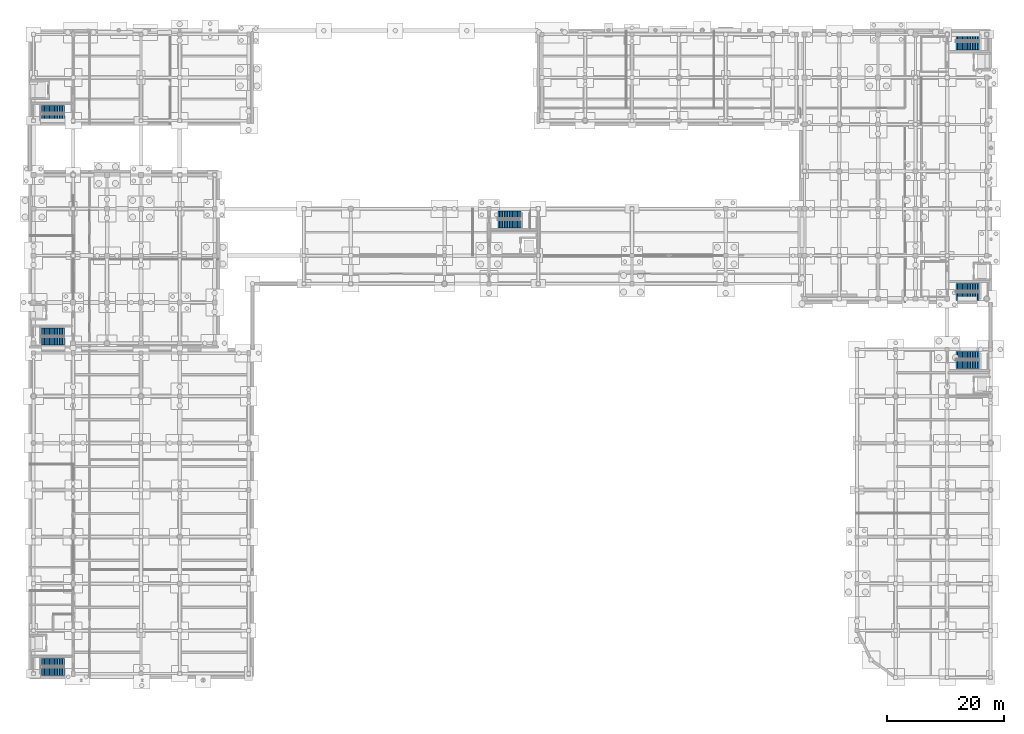
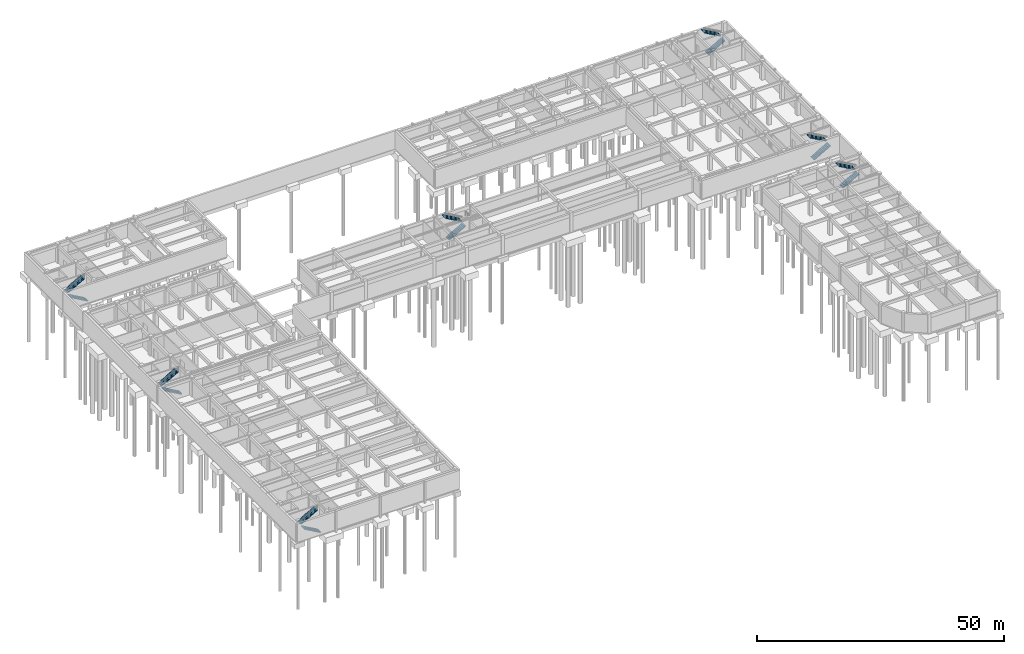
# One storey, part 28 of 35: 14 stair flights, 7 elements without a shape of their own.
"""IFC4 building model written with IfcOpenShell, lengths in metres."""

from ifc_helpers import new_model, si_unit, direction, frame, origin, place, context, subcontext, project, spatial, polyline, outline, extrude, material, type_object, element, aggregate, save


model = new_model("IFC4")

# Units and contexts
model_context = context("Model", 3, precision=1e-05, world=origin(), true_north=direction((0.0, 1.0)))
body_context = subcontext(model_context, "Body", "Model", "MODEL_VIEW")
ifc_project = project(units=[si_unit("LENGTHUNIT", "METRE"), si_unit("AREAUNIT", "SQUARE_METRE"), si_unit("VOLUMEUNIT", "CUBIC_METRE"), si_unit("PLANEANGLEUNIT", "RADIAN"), si_unit("MASSUNIT", "GRAM", prefix="KILO")], contexts=[model_context])

# Site, building, storey
site_placement = place(None, origin())
site = spatial("IfcSite", under=ifc_project, at=site_placement, CompositionType="ELEMENT")
building_placement = place(site_placement, origin())
building = spatial("IfcBuilding", under=site, at=building_placement, Name="Cinchona Park Media Centre", CompositionType="ELEMENT")
storey_placement = place(building_placement, frame((0.0, 0.0, -4.800048828125)))
storey = spatial("IfcBuildingStorey", under=building, at=storey_placement, Name="B1", CompositionType="ELEMENT", Elevation=-4.800048828125)

# Stair, stair flights
ifc_material_1 = material(Name="Concrete C35/45", Category="concrete")
stair_type_1 = type_object("IfcStairType", Name="STAIR-ST1-HT48", PredefinedType="HALF_TURN_STAIR", material=ifc_material_1)
stair_1_placement = place(storey_placement, origin())
stair_1 = element("IfcStair", 1, at=stair_1_placement, inside=storey, type_object=stair_type_1, Name="Exit Stair ST1 B1", PredefinedType="HALF_TURN_STAIR")
ifc_material_2 = material(Name="Concrete C35/45", Category="concrete")
stair_flight_type_1 = type_object("IfcStairFlightType", Name="FLIGHT-ST1", PredefinedType="STRAIGHT", material=ifc_material_2)
stair_flight_1_placement = place(storey_placement, frame((166.10009765625, 72.6201171875, 0.0), z_axis=(0.0, 0.0, 1.0), x_axis=(1.0, 0.0, 0.0)))
stair_flight_1 = element("IfcStairFlight", 2, at=stair_flight_1_placement, type_object=stair_flight_type_1, Name="ST1 flight 1", NumberOfRisers=15, NumberOfTreads=14, PredefinedType="STRAIGHT", RiserHeight=0.16, TreadLength=0.28, context=body_context, shape_type="SweptSolid", body=[
    extrude(outline(polyline([(0.0, 0.0), (0.0, 0.159912109375), (0.280029296875, 0.159912109375), (0.280029296875, 0.320068359375), (0.56005859375, 0.320068359375), (0.56005859375, 0.47998046875), (0.840087890625, 0.47998046875), (0.840087890625, 0.639892578125), (1.1201171875, 0.639892578125), (1.1201171875, 0.800048828125), (1.39990234375, 0.800048828125), (1.39990234375, 0.9599609375), (1.679931640625, 0.9599609375), (1.679931640625, 1.1201171875), (1.9599609375, 1.1201171875), (1.9599609375, 1.280029296875), (2.239990234375, 1.280029296875), (2.239990234375, 1.43994140625), (2.52001953125, 1.43994140625), (2.52001953125, 1.60009765625), (2.800048828125, 1.60009765625), (2.800048828125, 1.760009765625), (3.080078125, 1.760009765625), (3.080078125, 1.919921875), (3.360107421875, 1.919921875), (3.360107421875, 2.080078125), (3.639892578125, 2.080078125), (3.639892578125, 2.239990234375), (3.919921875, 2.239990234375), (3.919921875, 2.39990234375), (3.919921875, 2.055908203125), (0.322265625, 0.0), (0.0, 0.0)])), frame((0.0, 0.68017578125, 0.0), z_axis=(0.0, -1.0, 0.0), x_axis=(1.0, 0.0, 0.0)), (0.0, 0.0, 1.0), 1.360107421875),
])
stair_flight_2_placement = place(storey_placement, frame((170.02001953125, 74.179931640625, 2.400146484375), z_axis=(0.0, 0.0, 1.0), x_axis=(-1.0, 0.0, 0.0)))
stair_flight_2 = element("IfcStairFlight", 3, at=stair_flight_2_placement, type_object=stair_flight_type_1, Name="ST1 flight 2", NumberOfRisers=15, NumberOfTreads=14, PredefinedType="STRAIGHT", RiserHeight=0.16, TreadLength=0.28, context=body_context, shape_type="SweptSolid", body=[
    extrude(outline(polyline([(0.0, 0.0), (0.0, 0.159912109375), (0.280029296875, 0.159912109375), (0.280029296875, 0.320068359375), (0.56005859375, 0.320068359375), (0.56005859375, 0.47998046875), (0.840087890625, 0.47998046875), (0.840087890625, 0.639892578125), (1.1201171875, 0.639892578125), (1.1201171875, 0.800048828125), (1.39990234375, 0.800048828125), (1.39990234375, 0.9599609375), (1.679931640625, 0.9599609375), (1.679931640625, 1.1201171875), (1.9599609375, 1.1201171875), (1.9599609375, 1.280029296875), (2.239990234375, 1.280029296875), (2.239990234375, 1.43994140625), (2.52001953125, 1.43994140625), (2.52001953125, 1.60009765625), (2.800048828125, 1.60009765625), (2.800048828125, 1.760009765625), (3.080078125, 1.760009765625), (3.080078125, 1.919921875), (3.360107421875, 1.919921875), (3.360107421875, 2.080078125), (3.639892578125, 2.080078125), (3.639892578125, 2.239990234375), (3.919921875, 2.239990234375), (3.919921875, 2.39990234375), (3.919921875, 2.055908203125), (0.322265625, 0.0), (0.0, 0.0)])), frame((0.0, 0.68017578125, 0.0), z_axis=(0.0, -1.0, 0.0), x_axis=(1.0, 0.0, 0.0)), (0.0, 0.0, 1.0), 1.360107421875),
])
aggregate(stair_1, [stair_flight_1, stair_flight_2])

ifc_material_3 = material(Name="Concrete C35/45", Category="concrete")
stair_type_2 = type_object("IfcStairType", Name="STAIR-ST2-HT48", PredefinedType="HALF_TURN_STAIR", material=ifc_material_3)
stair_2_placement = place(storey_placement, origin())
stair_2 = element("IfcStair", 4, at=stair_2_placement, inside=storey, type_object=stair_type_2, Name="Exit Stair ST2 B1", PredefinedType="HALF_TURN_STAIR")
ifc_material_4 = material(Name="Concrete C35/45", Category="concrete")
stair_flight_type_2 = type_object("IfcStairFlightType", Name="FLIGHT-ST2", PredefinedType="STRAIGHT", material=ifc_material_4)
stair_flight_3_placement = place(storey_placement, frame((166.10009765625, 115.419921875, 0.0), z_axis=(0.0, 0.0, 1.0), x_axis=(1.0, 0.0, 0.0)))
stair_flight_3 = element("IfcStairFlight", 5, at=stair_flight_3_placement, type_object=stair_flight_type_2, Name="ST2 flight 1", NumberOfRisers=15, NumberOfTreads=14, PredefinedType="STRAIGHT", RiserHeight=0.16, TreadLength=0.28, context=body_context, shape_type="SweptSolid", body=[
    extrude(outline(polyline([(0.0, 0.0), (0.0, 0.159912109375), (0.280029296875, 0.159912109375), (0.280029296875, 0.320068359375), (0.56005859375, 0.320068359375), (0.56005859375, 0.47998046875), (0.840087890625, 0.47998046875), (0.840087890625, 0.639892578125), (1.1201171875, 0.639892578125), (1.1201171875, 0.800048828125), (1.39990234375, 0.800048828125), (1.39990234375, 0.9599609375), (1.679931640625, 0.9599609375), (1.679931640625, 1.1201171875), (1.9599609375, 1.1201171875), (1.9599609375, 1.280029296875), (2.239990234375, 1.280029296875), (2.239990234375, 1.43994140625), (2.52001953125, 1.43994140625), (2.52001953125, 1.60009765625), (2.800048828125, 1.60009765625), (2.800048828125, 1.760009765625), (3.080078125, 1.760009765625), (3.080078125, 1.919921875), (3.360107421875, 1.919921875), (3.360107421875, 2.080078125), (3.639892578125, 2.080078125), (3.639892578125, 2.239990234375), (3.919921875, 2.239990234375), (3.919921875, 2.39990234375), (3.919921875, 2.055908203125), (0.322265625, 0.0), (0.0, 0.0)])), frame((0.0, 0.68017578125, 0.0), z_axis=(0.0, -1.0, 0.0), x_axis=(1.0, 0.0, 0.0)), (0.0, 0.0, 1.0), 1.360107421875),
])
stair_flight_4_placement = place(storey_placement, frame((170.02001953125, 116.97998046875, 2.400146484375), z_axis=(0.0, 0.0, 1.0), x_axis=(-1.0, 0.0, 0.0)))
stair_flight_4 = element("IfcStairFlight", 6, at=stair_flight_4_placement, type_object=stair_flight_type_2, Name="ST2 flight 2", NumberOfRisers=15, NumberOfTreads=14, PredefinedType="STRAIGHT", RiserHeight=0.16, TreadLength=0.28, context=body_context, shape_type="SweptSolid", body=[
    extrude(outline(polyline([(0.0, 0.0), (0.0, 0.159912109375), (0.280029296875, 0.159912109375), (0.280029296875, 0.320068359375), (0.56005859375, 0.320068359375), (0.56005859375, 0.47998046875), (0.840087890625, 0.47998046875), (0.840087890625, 0.639892578125), (1.1201171875, 0.639892578125), (1.1201171875, 0.800048828125), (1.39990234375, 0.800048828125), (1.39990234375, 0.9599609375), (1.679931640625, 0.9599609375), (1.679931640625, 1.1201171875), (1.9599609375, 1.1201171875), (1.9599609375, 1.280029296875), (2.239990234375, 1.280029296875), (2.239990234375, 1.43994140625), (2.52001953125, 1.43994140625), (2.52001953125, 1.60009765625), (2.800048828125, 1.60009765625), (2.800048828125, 1.760009765625), (3.080078125, 1.760009765625), (3.080078125, 1.919921875), (3.360107421875, 1.919921875), (3.360107421875, 2.080078125), (3.639892578125, 2.080078125), (3.639892578125, 2.239990234375), (3.919921875, 2.239990234375), (3.919921875, 2.39990234375), (3.919921875, 2.055908203125), (0.322265625, 0.0), (0.0, 0.0)])), frame((0.0, 0.68017578125, 0.0), z_axis=(0.0, -1.0, 0.0), x_axis=(1.0, 0.0, 0.0)), (0.0, 0.0, 1.0), 1.360107421875),
])
aggregate(stair_2, [stair_flight_3, stair_flight_4])

ifc_material_5 = material(Name="Concrete C35/45", Category="concrete")
stair_type_3 = type_object("IfcStairType", Name="STAIR-ST3-HT48", PredefinedType="HALF_TURN_STAIR", material=ifc_material_5)
stair_3_placement = place(storey_placement, origin())
stair_3 = element("IfcStair", 7, at=stair_3_placement, inside=storey, type_object=stair_type_3, Name="Exit Stair ST3 B1", PredefinedType="HALF_TURN_STAIR")
ifc_material_6 = material(Name="Concrete C35/45", Category="concrete")
stair_flight_type_3 = type_object("IfcStairFlightType", Name="FLIGHT-ST3", PredefinedType="STRAIGHT", material=ifc_material_6)
stair_flight_5_placement = place(storey_placement, frame((13.89990234375, 65.02001953125, 0.0), z_axis=(0.0, 0.0, 1.0), x_axis=(-1.0, 0.0, 0.0)))
stair_flight_5 = element("IfcStairFlight", 8, at=stair_flight_5_placement, type_object=stair_flight_type_3, Name="ST3 flight 1", NumberOfRisers=15, NumberOfTreads=14, PredefinedType="STRAIGHT", RiserHeight=0.16, TreadLength=0.28, context=body_context, shape_type="SweptSolid", body=[
    extrude(outline(polyline([(0.0, 0.0), (0.0, 0.159912109375), (0.280029296875, 0.159912109375), (0.280029296875, 0.320068359375), (0.56005859375, 0.320068359375), (0.56005859375, 0.47998046875), (0.840087890625, 0.47998046875), (0.840087890625, 0.639892578125), (1.1201171875, 0.639892578125), (1.1201171875, 0.800048828125), (1.39990234375, 0.800048828125), (1.39990234375, 0.9599609375), (1.679931640625, 0.9599609375), (1.679931640625, 1.1201171875), (1.9599609375, 1.1201171875), (1.9599609375, 1.280029296875), (2.239990234375, 1.280029296875), (2.239990234375, 1.43994140625), (2.52001953125, 1.43994140625), (2.52001953125, 1.60009765625), (2.800048828125, 1.60009765625), (2.800048828125, 1.760009765625), (3.080078125, 1.760009765625), (3.080078125, 1.919921875), (3.360107421875, 1.919921875), (3.360107421875, 2.080078125), (3.639892578125, 2.080078125), (3.639892578125, 2.239990234375), (3.919921875, 2.239990234375), (3.919921875, 2.39990234375), (3.919921875, 2.055908203125), (0.322265625, 0.0), (0.0, 0.0)])), frame((0.0, 0.68017578125, 0.0), z_axis=(0.0, -1.0, 0.0), x_axis=(1.0, 0.0, 0.0)), (0.0, 0.0, 1.0), 1.360107421875),
])
stair_flight_6_placement = place(storey_placement, frame((9.97998046875, 66.580078125, 2.400146484375), z_axis=(0.0, 0.0, 1.0), x_axis=(1.0, 0.0, 0.0)))
stair_flight_6 = element("IfcStairFlight", 9, at=stair_flight_6_placement, type_object=stair_flight_type_3, Name="ST3 flight 2", NumberOfRisers=15, NumberOfTreads=14, PredefinedType="STRAIGHT", RiserHeight=0.16, TreadLength=0.28, context=body_context, shape_type="SweptSolid", body=[
    extrude(outline(polyline([(0.0, 0.0), (0.0, 0.159912109375), (0.280029296875, 0.159912109375), (0.280029296875, 0.320068359375), (0.56005859375, 0.320068359375), (0.56005859375, 0.47998046875), (0.840087890625, 0.47998046875), (0.840087890625, 0.639892578125), (1.1201171875, 0.639892578125), (1.1201171875, 0.800048828125), (1.39990234375, 0.800048828125), (1.39990234375, 0.9599609375), (1.679931640625, 0.9599609375), (1.679931640625, 1.1201171875), (1.9599609375, 1.1201171875), (1.9599609375, 1.280029296875), (2.239990234375, 1.280029296875), (2.239990234375, 1.43994140625), (2.52001953125, 1.43994140625), (2.52001953125, 1.60009765625), (2.800048828125, 1.60009765625), (2.800048828125, 1.760009765625), (3.080078125, 1.760009765625), (3.080078125, 1.919921875), (3.360107421875, 1.919921875), (3.360107421875, 2.080078125), (3.639892578125, 2.080078125), (3.639892578125, 2.239990234375), (3.919921875, 2.239990234375), (3.919921875, 2.39990234375), (3.919921875, 2.055908203125), (0.322265625, 0.0), (0.0, 0.0)])), frame((0.0, 0.68017578125, 0.0), z_axis=(0.0, -1.0, 0.0), x_axis=(1.0, 0.0, 0.0)), (0.0, 0.0, 1.0), 1.360107421875),
])
aggregate(stair_3, [stair_flight_5, stair_flight_6])

ifc_material_7 = material(Name="Concrete C35/45", Category="concrete")
stair_type_4 = type_object("IfcStairType", Name="STAIR-ST4-HT48", PredefinedType="HALF_TURN_STAIR", material=ifc_material_7)
stair_4_placement = place(storey_placement, origin())
stair_4 = element("IfcStair", 10, at=stair_4_placement, inside=storey, type_object=stair_type_4, Name="Exit Stair ST4 B1", PredefinedType="HALF_TURN_STAIR")
ifc_material_8 = material(Name="Concrete C35/45", Category="concrete")
stair_flight_type_4 = type_object("IfcStairFlightType", Name="FLIGHT-ST4", PredefinedType="STRAIGHT", material=ifc_material_8)
stair_flight_7_placement = place(storey_placement, frame((13.89990234375, 103.02001953125, 0.0), z_axis=(0.0, 0.0, 1.0), x_axis=(-1.0, 0.0, 0.0)))
stair_flight_7 = element("IfcStairFlight", 11, at=stair_flight_7_placement, type_object=stair_flight_type_4, Name="ST4 flight 1", NumberOfRisers=15, NumberOfTreads=14, PredefinedType="STRAIGHT", RiserHeight=0.16, TreadLength=0.28, context=body_context, shape_type="SweptSolid", body=[
    extrude(outline(polyline([(0.0, 0.0), (0.0, 0.159912109375), (0.280029296875, 0.159912109375), (0.280029296875, 0.320068359375), (0.56005859375, 0.320068359375), (0.56005859375, 0.47998046875), (0.840087890625, 0.47998046875), (0.840087890625, 0.639892578125), (1.1201171875, 0.639892578125), (1.1201171875, 0.800048828125), (1.39990234375, 0.800048828125), (1.39990234375, 0.9599609375), (1.679931640625, 0.9599609375), (1.679931640625, 1.1201171875), (1.9599609375, 1.1201171875), (1.9599609375, 1.280029296875), (2.239990234375, 1.280029296875), (2.239990234375, 1.43994140625), (2.52001953125, 1.43994140625), (2.52001953125, 1.60009765625), (2.800048828125, 1.60009765625), (2.800048828125, 1.760009765625), (3.080078125, 1.760009765625), (3.080078125, 1.919921875), (3.360107421875, 1.919921875), (3.360107421875, 2.080078125), (3.639892578125, 2.080078125), (3.639892578125, 2.239990234375), (3.919921875, 2.239990234375), (3.919921875, 2.39990234375), (3.919921875, 2.055908203125), (0.322265625, 0.0), (0.0, 0.0)])), frame((0.0, 0.68017578125, 0.0), z_axis=(0.0, -1.0, 0.0), x_axis=(1.0, 0.0, 0.0)), (0.0, 0.0, 1.0), 1.360107421875),
])
stair_flight_8_placement = place(storey_placement, frame((9.97998046875, 104.580078125, 2.400146484375), z_axis=(0.0, 0.0, 1.0), x_axis=(1.0, 0.0, 0.0)))
stair_flight_8 = element("IfcStairFlight", 12, at=stair_flight_8_placement, type_object=stair_flight_type_4, Name="ST4 flight 2", NumberOfRisers=15, NumberOfTreads=14, PredefinedType="STRAIGHT", RiserHeight=0.16, TreadLength=0.28, context=body_context, shape_type="SweptSolid", body=[
    extrude(outline(polyline([(0.0, 0.0), (0.0, 0.159912109375), (0.280029296875, 0.159912109375), (0.280029296875, 0.320068359375), (0.56005859375, 0.320068359375), (0.56005859375, 0.47998046875), (0.840087890625, 0.47998046875), (0.840087890625, 0.639892578125), (1.1201171875, 0.639892578125), (1.1201171875, 0.800048828125), (1.39990234375, 0.800048828125), (1.39990234375, 0.9599609375), (1.679931640625, 0.9599609375), (1.679931640625, 1.1201171875), (1.9599609375, 1.1201171875), (1.9599609375, 1.280029296875), (2.239990234375, 1.280029296875), (2.239990234375, 1.43994140625), (2.52001953125, 1.43994140625), (2.52001953125, 1.60009765625), (2.800048828125, 1.60009765625), (2.800048828125, 1.760009765625), (3.080078125, 1.760009765625), (3.080078125, 1.919921875), (3.360107421875, 1.919921875), (3.360107421875, 2.080078125), (3.639892578125, 2.080078125), (3.639892578125, 2.239990234375), (3.919921875, 2.239990234375), (3.919921875, 2.39990234375), (3.919921875, 2.055908203125), (0.322265625, 0.0), (0.0, 0.0)])), frame((0.0, 0.68017578125, 0.0), z_axis=(0.0, -1.0, 0.0), x_axis=(1.0, 0.0, 0.0)), (0.0, 0.0, 1.0), 1.360107421875),
])
aggregate(stair_4, [stair_flight_7, stair_flight_8])

ifc_material_9 = material(Name="Concrete C35/45", Category="concrete")
stair_type_5 = type_object("IfcStairType", Name="STAIR-ST5-HT48", PredefinedType="HALF_TURN_STAIR", material=ifc_material_9)
stair_5_placement = place(storey_placement, origin())
stair_5 = element("IfcStair", 13, at=stair_5_placement, inside=storey, type_object=stair_type_5, Name="Exit Stair ST5 B1", PredefinedType="HALF_TURN_STAIR")
ifc_material_10 = material(Name="Concrete C35/45", Category="concrete")
stair_flight_type_5 = type_object("IfcStairFlightType", Name="FLIGHT-ST5", PredefinedType="STRAIGHT", material=ifc_material_10)
stair_flight_9_placement = place(storey_placement, frame((87.89990234375, 85.02001953125, 0.0), z_axis=(0.0, 0.0, 1.0), x_axis=(1.0, 0.0, 0.0)))
stair_flight_9 = element("IfcStairFlight", 14, at=stair_flight_9_placement, type_object=stair_flight_type_5, Name="ST5 flight 1", NumberOfRisers=15, NumberOfTreads=14, PredefinedType="STRAIGHT", RiserHeight=0.16, TreadLength=0.28, context=body_context, shape_type="SweptSolid", body=[
    extrude(outline(polyline([(0.0, 0.0), (0.0, 0.159912109375), (0.280029296875, 0.159912109375), (0.280029296875, 0.320068359375), (0.56005859375, 0.320068359375), (0.56005859375, 0.47998046875), (0.840087890625, 0.47998046875), (0.840087890625, 0.639892578125), (1.1201171875, 0.639892578125), (1.1201171875, 0.800048828125), (1.39990234375, 0.800048828125), (1.39990234375, 0.9599609375), (1.679931640625, 0.9599609375), (1.679931640625, 1.1201171875), (1.9599609375, 1.1201171875), (1.9599609375, 1.280029296875), (2.239990234375, 1.280029296875), (2.239990234375, 1.43994140625), (2.52001953125, 1.43994140625), (2.52001953125, 1.60009765625), (2.800048828125, 1.60009765625), (2.800048828125, 1.760009765625), (3.080078125, 1.760009765625), (3.080078125, 1.919921875), (3.360107421875, 1.919921875), (3.360107421875, 2.080078125), (3.639892578125, 2.080078125), (3.639892578125, 2.239990234375), (3.919921875, 2.239990234375), (3.919921875, 2.39990234375), (3.919921875, 2.055908203125), (0.322265625, 0.0), (0.0, 0.0)])), frame((0.0, 0.68017578125, 0.0), z_axis=(0.0, -1.0, 0.0), x_axis=(1.0, 0.0, 0.0)), (0.0, 0.0, 1.0), 1.360107421875),
])
stair_flight_10_placement = place(storey_placement, frame((91.820068359375, 86.580078125, 2.400146484375), z_axis=(0.0, 0.0, 1.0), x_axis=(-1.0, 0.0, 0.0)))
stair_flight_10 = element("IfcStairFlight", 15, at=stair_flight_10_placement, type_object=stair_flight_type_5, Name="ST5 flight 2", NumberOfRisers=15, NumberOfTreads=14, PredefinedType="STRAIGHT", RiserHeight=0.16, TreadLength=0.28, context=body_context, shape_type="SweptSolid", body=[
    extrude(outline(polyline([(0.0, 0.0), (0.0, 0.159912109375), (0.280029296875, 0.159912109375), (0.280029296875, 0.320068359375), (0.56005859375, 0.320068359375), (0.56005859375, 0.47998046875), (0.840087890625, 0.47998046875), (0.840087890625, 0.639892578125), (1.1201171875, 0.639892578125), (1.1201171875, 0.800048828125), (1.39990234375, 0.800048828125), (1.39990234375, 0.9599609375), (1.679931640625, 0.9599609375), (1.679931640625, 1.1201171875), (1.9599609375, 1.1201171875), (1.9599609375, 1.280029296875), (2.239990234375, 1.280029296875), (2.239990234375, 1.43994140625), (2.52001953125, 1.43994140625), (2.52001953125, 1.60009765625), (2.800048828125, 1.60009765625), (2.800048828125, 1.760009765625), (3.080078125, 1.760009765625), (3.080078125, 1.919921875), (3.360107421875, 1.919921875), (3.360107421875, 2.080078125), (3.639892578125, 2.080078125), (3.639892578125, 2.239990234375), (3.919921875, 2.239990234375), (3.919921875, 2.39990234375), (3.919921875, 2.055908203125), (0.322265625, 0.0), (0.0, 0.0)])), frame((0.0, 0.68017578125, 0.0), z_axis=(0.0, -1.0, 0.0), x_axis=(1.0, 0.0, 0.0)), (0.0, 0.0, 1.0), 1.360107421875),
])
aggregate(stair_5, [stair_flight_9, stair_flight_10])

ifc_material_11 = material(Name="Concrete C35/45", Category="concrete")
stair_type_6 = type_object("IfcStairType", Name="STAIR-ST6-HT48", PredefinedType="HALF_TURN_STAIR", material=ifc_material_11)
stair_6_placement = place(storey_placement, origin())
stair_6 = element("IfcStair", 16, at=stair_6_placement, inside=storey, type_object=stair_type_6, Name="Exit Stair ST6 B1", PredefinedType="HALF_TURN_STAIR")
ifc_material_12 = material(Name="Concrete C35/45", Category="concrete")
stair_flight_type_6 = type_object("IfcStairFlightType", Name="FLIGHT-ST6", PredefinedType="STRAIGHT", material=ifc_material_12)
stair_flight_11_placement = place(storey_placement, frame((13.89990234375, 8.6201171875, 0.0), z_axis=(0.0, 0.0, 1.0), x_axis=(-1.0, 0.0, 0.0)))
stair_flight_11 = element("IfcStairFlight", 17, at=stair_flight_11_placement, type_object=stair_flight_type_6, Name="ST6 flight 1", NumberOfRisers=15, NumberOfTreads=14, PredefinedType="STRAIGHT", RiserHeight=0.16, TreadLength=0.28, context=body_context, shape_type="SweptSolid", body=[
    extrude(outline(polyline([(0.0, 0.0), (0.0, 0.159912109375), (0.280029296875, 0.159912109375), (0.280029296875, 0.320068359375), (0.56005859375, 0.320068359375), (0.56005859375, 0.47998046875), (0.840087890625, 0.47998046875), (0.840087890625, 0.639892578125), (1.1201171875, 0.639892578125), (1.1201171875, 0.800048828125), (1.39990234375, 0.800048828125), (1.39990234375, 0.9599609375), (1.679931640625, 0.9599609375), (1.679931640625, 1.1201171875), (1.9599609375, 1.1201171875), (1.9599609375, 1.280029296875), (2.239990234375, 1.280029296875), (2.239990234375, 1.43994140625), (2.52001953125, 1.43994140625), (2.52001953125, 1.60009765625), (2.800048828125, 1.60009765625), (2.800048828125, 1.760009765625), (3.080078125, 1.760009765625), (3.080078125, 1.919921875), (3.360107421875, 1.919921875), (3.360107421875, 2.080078125), (3.639892578125, 2.080078125), (3.639892578125, 2.239990234375), (3.919921875, 2.239990234375), (3.919921875, 2.39990234375), (3.919921875, 2.055908203125), (0.322265625, 0.0), (0.0, 0.0)])), frame((0.0, 0.68017578125, 0.0), z_axis=(0.0, -1.0, 0.0), x_axis=(1.0, 0.0, 0.0)), (0.0, 0.0, 1.0), 1.360107421875),
])
stair_flight_12_placement = place(storey_placement, frame((9.97998046875, 10.179931640625, 2.400146484375), z_axis=(0.0, 0.0, 1.0), x_axis=(1.0, 0.0, 0.0)))
stair_flight_12 = element("IfcStairFlight", 18, at=stair_flight_12_placement, type_object=stair_flight_type_6, Name="ST6 flight 2", NumberOfRisers=15, NumberOfTreads=14, PredefinedType="STRAIGHT", RiserHeight=0.16, TreadLength=0.28, context=body_context, shape_type="SweptSolid", body=[
    extrude(outline(polyline([(0.0, 0.0), (0.0, 0.159912109375), (0.280029296875, 0.159912109375), (0.280029296875, 0.320068359375), (0.56005859375, 0.320068359375), (0.56005859375, 0.47998046875), (0.840087890625, 0.47998046875), (0.840087890625, 0.639892578125), (1.1201171875, 0.639892578125), (1.1201171875, 0.800048828125), (1.39990234375, 0.800048828125), (1.39990234375, 0.9599609375), (1.679931640625, 0.9599609375), (1.679931640625, 1.1201171875), (1.9599609375, 1.1201171875), (1.9599609375, 1.280029296875), (2.239990234375, 1.280029296875), (2.239990234375, 1.43994140625), (2.52001953125, 1.43994140625), (2.52001953125, 1.60009765625), (2.800048828125, 1.60009765625), (2.800048828125, 1.760009765625), (3.080078125, 1.760009765625), (3.080078125, 1.919921875), (3.360107421875, 1.919921875), (3.360107421875, 2.080078125), (3.639892578125, 2.080078125), (3.639892578125, 2.239990234375), (3.919921875, 2.239990234375), (3.919921875, 2.39990234375), (3.919921875, 2.055908203125), (0.322265625, 0.0), (0.0, 0.0)])), frame((0.0, 0.68017578125, 0.0), z_axis=(0.0, -1.0, 0.0), x_axis=(1.0, 0.0, 0.0)), (0.0, 0.0, 1.0), 1.360107421875),
])
aggregate(stair_6, [stair_flight_11, stair_flight_12])

ifc_material_13 = material(Name="Concrete C35/45", Category="concrete")
stair_type_7 = type_object("IfcStairType", Name="STAIR-ST7-HT48", PredefinedType="HALF_TURN_STAIR", material=ifc_material_13)
stair_7_placement = place(storey_placement, origin())
stair_7 = element("IfcStair", 19, at=stair_7_placement, inside=storey, type_object=stair_type_7, Name="Exit Stair ST7 B1", PredefinedType="HALF_TURN_STAIR")
ifc_material_14 = material(Name="Concrete C35/45", Category="concrete")
stair_flight_type_7 = type_object("IfcStairFlightType", Name="FLIGHT-ST7", PredefinedType="STRAIGHT", material=ifc_material_14)
stair_flight_13_placement = place(storey_placement, frame((166.10009765625, 61.02001953125, 0.0), z_axis=(0.0, 0.0, 1.0), x_axis=(1.0, 0.0, 0.0)))
stair_flight_13 = element("IfcStairFlight", 20, at=stair_flight_13_placement, type_object=stair_flight_type_7, Name="ST7 flight 1", NumberOfRisers=15, NumberOfTreads=14, PredefinedType="STRAIGHT", RiserHeight=0.16, TreadLength=0.28, context=body_context, shape_type="SweptSolid", body=[
    extrude(outline(polyline([(0.0, 0.0), (0.0, 0.159912109375), (0.280029296875, 0.159912109375), (0.280029296875, 0.320068359375), (0.56005859375, 0.320068359375), (0.56005859375, 0.47998046875), (0.840087890625, 0.47998046875), (0.840087890625, 0.639892578125), (1.1201171875, 0.639892578125), (1.1201171875, 0.800048828125), (1.39990234375, 0.800048828125), (1.39990234375, 0.9599609375), (1.679931640625, 0.9599609375), (1.679931640625, 1.1201171875), (1.9599609375, 1.1201171875), (1.9599609375, 1.280029296875), (2.239990234375, 1.280029296875), (2.239990234375, 1.43994140625), (2.52001953125, 1.43994140625), (2.52001953125, 1.60009765625), (2.800048828125, 1.60009765625), (2.800048828125, 1.760009765625), (3.080078125, 1.760009765625), (3.080078125, 1.919921875), (3.360107421875, 1.919921875), (3.360107421875, 2.080078125), (3.639892578125, 2.080078125), (3.639892578125, 2.239990234375), (3.919921875, 2.239990234375), (3.919921875, 2.39990234375), (3.919921875, 2.055908203125), (0.322265625, 0.0), (0.0, 0.0)])), frame((0.0, 0.68017578125, 0.0), z_axis=(0.0, -1.0, 0.0), x_axis=(1.0, 0.0, 0.0)), (0.0, 0.0, 1.0), 1.360107421875),
])
stair_flight_14_placement = place(storey_placement, frame((170.02001953125, 62.580078125, 2.400146484375), z_axis=(0.0, 0.0, 1.0), x_axis=(-1.0, 0.0, 0.0)))
stair_flight_14 = element("IfcStairFlight", 21, at=stair_flight_14_placement, type_object=stair_flight_type_7, Name="ST7 flight 2", NumberOfRisers=15, NumberOfTreads=14, PredefinedType="STRAIGHT", RiserHeight=0.16, TreadLength=0.28, context=body_context, shape_type="SweptSolid", body=[
    extrude(outline(polyline([(0.0, 0.0), (0.0, 0.159912109375), (0.280029296875, 0.159912109375), (0.280029296875, 0.320068359375), (0.56005859375, 0.320068359375), (0.56005859375, 0.47998046875), (0.840087890625, 0.47998046875), (0.840087890625, 0.639892578125), (1.1201171875, 0.639892578125), (1.1201171875, 0.800048828125), (1.39990234375, 0.800048828125), (1.39990234375, 0.9599609375), (1.679931640625, 0.9599609375), (1.679931640625, 1.1201171875), (1.9599609375, 1.1201171875), (1.9599609375, 1.280029296875), (2.239990234375, 1.280029296875), (2.239990234375, 1.43994140625), (2.52001953125, 1.43994140625), (2.52001953125, 1.60009765625), (2.800048828125, 1.60009765625), (2.800048828125, 1.760009765625), (3.080078125, 1.760009765625), (3.080078125, 1.919921875), (3.360107421875, 1.919921875), (3.360107421875, 2.080078125), (3.639892578125, 2.080078125), (3.639892578125, 2.239990234375), (3.919921875, 2.239990234375), (3.919921875, 2.39990234375), (3.919921875, 2.055908203125), (0.322265625, 0.0), (0.0, 0.0)])), frame((0.0, 0.68017578125, 0.0), z_axis=(0.0, -1.0, 0.0), x_axis=(1.0, 0.0, 0.0)), (0.0, 0.0, 1.0), 1.360107421875),
])
aggregate(stair_7, [stair_flight_13, stair_flight_14])

save(model, "model.ifc")
